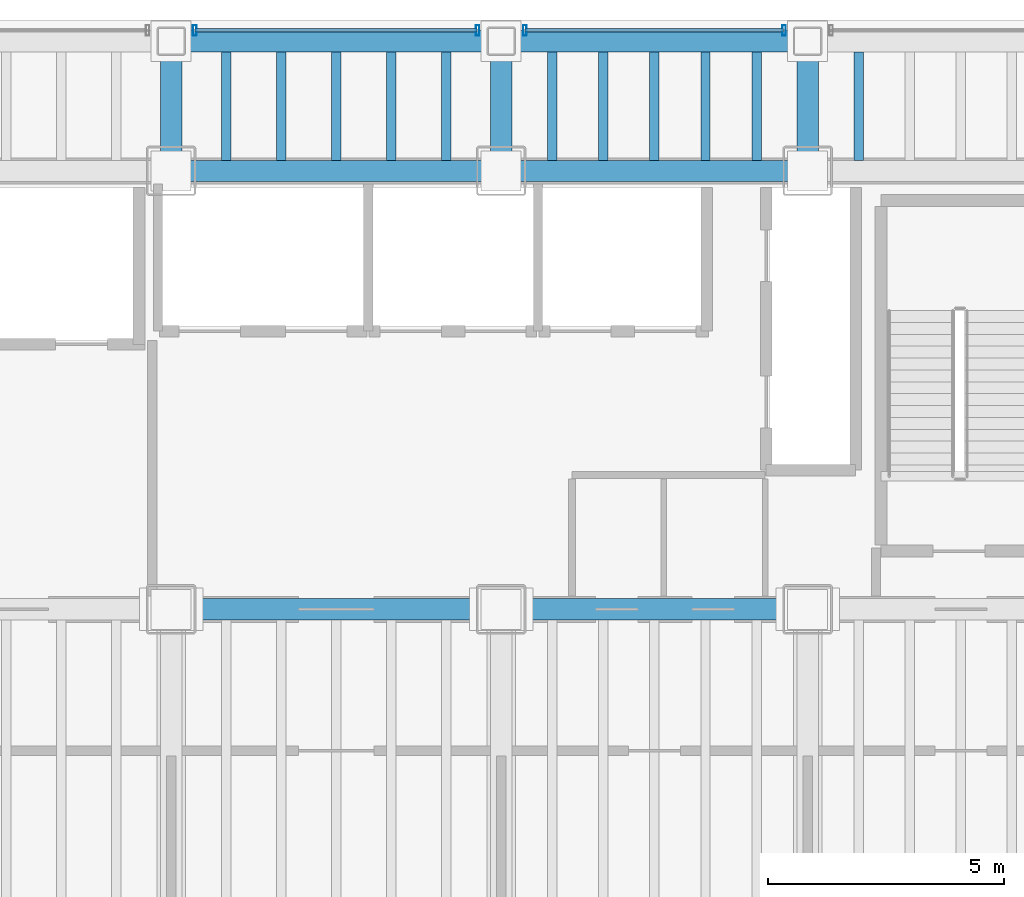
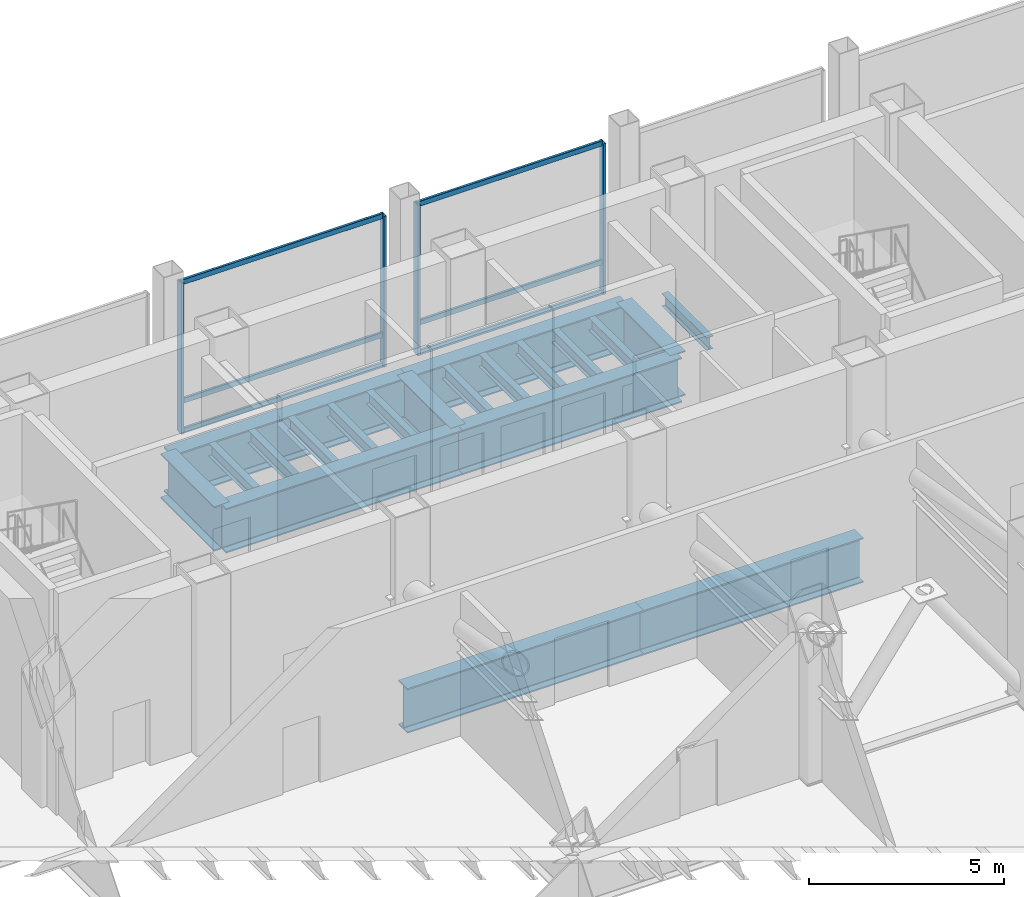
# One storey, part 9 of 20: 20 beams, 10 members, 2 elements without a shape of their own.
"""IFC4 building model written with IfcOpenShell, lengths in metres."""

from ifc_helpers import new_model, si_unit, direction, frame, origin, origin_2d, place, context, subcontext, project, spatial, hollow_rectangle, i_section, extrude, material, material_profile, profile_set, type_object, element, aggregate, save


model = new_model("IFC4")

# Units and contexts
model_context = context("Model", 3, precision=1e-05, world=origin(), true_north=direction((0.0, 1.0)))
body_context = subcontext(model_context, "Body", "Model", "MODEL_VIEW")
ifc_project = project(units=[si_unit("LENGTHUNIT", "METRE"), si_unit("AREAUNIT", "SQUARE_METRE"), si_unit("VOLUMEUNIT", "CUBIC_METRE"), si_unit("PLANEANGLEUNIT", "RADIAN"), si_unit("MASSUNIT", "GRAM", prefix="KILO")], contexts=[model_context])

# Site, building, storey
site_placement = place(None, origin())
site = spatial("IfcSite", under=ifc_project, at=site_placement, CompositionType="ELEMENT")
building_placement = place(site_placement, origin())
building = spatial("IfcBuilding", under=site, at=building_placement, Name="Noeulbin Bourse Tower", CompositionType="ELEMENT")
storey_placement = place(building_placement, frame((0.0, 0.0, 100.60009765625)))
storey = spatial("IfcBuildingStorey", under=building, at=storey_placement, Name="L25", CompositionType="ELEMENT", Elevation=100.60009765625)

# Beams
ifc_material_1 = material(Name="Steel S355", Category="steel")
ifc_material_profile_1 = material_profile(ifc_material_1, i_section(OverallWidth=0.199951171875, OverallDepth=0.39990234375, WebThickness=0.008056640625, FlangeThickness=0.012939453125, FilletRadius=0.01611328125, at=origin_2d()), Name="H-400x200x8x13", Category="LoadBearing")
ifc_profile_set_1 = profile_set([ifc_material_profile_1], Name="Steel S355")
beam_type_1 = type_object("IfcBeamType", Name="BM-SEC-400", PredefinedType="BEAM", material=ifc_profile_set_1)
for number, where, z_axis, x_axis, name in (
    (1, (25.166748046875, 38.52490234375, -0.5), (0.0, 1.0, 0.0), (-1.0, 0.0, 0.0), "Tower Composite Joist L25-27"),
    (2, (26.333251953125, 38.52490234375, -0.5), (0.0, 1.0, 0.0), (-1.0, 0.0, 0.0), "Tower Composite Joist L25-30"),
    (3, (27.5, 38.52490234375, -0.5), (0.0, 1.0, 0.0), (-1.0, 0.0, 0.0), "Tower Composite Joist L25-33"),
    (4, (28.666748046875, 38.52490234375, -0.5), (0.0, 1.0, 0.0), (-1.0, 0.0, 0.0), "Tower Composite Joist L25-36"),
    (5, (29.833251953125, 38.52490234375, -0.5), (0.0, 1.0, 0.0), (-1.0, 0.0, 0.0), "Tower Composite Joist L25-39"),
    (6, (32.083251953125, 38.52490234375, -0.5), (0.0, 1.0, 0.0), (-1.0, 0.0, 0.0), "Tower Composite Joist L25-42"),
    (7, (33.166748046875, 38.52490234375, -0.5), (0.0, 1.0, 0.0), (-1.0, 0.0, 0.0), "Tower Composite Joist L25-45"),
    (8, (34.25, 38.52490234375, -0.5), (0.0, 1.0, 0.0), (-1.0, 0.0, 0.0), "Tower Composite Joist L25-48"),
    (9, (35.333251953125, 38.52490234375, -0.5), (0.0, 1.0, 0.0), (-1.0, 0.0, 0.0), "Tower Composite Joist L25-51"),
    (10, (36.416748046875, 38.52490234375, -0.5), (0.0, 1.0, 0.0), (-1.0, 0.0, 0.0), "Tower Composite Joist L25-54"),
    (11, (38.583251953125, 38.52490234375, -0.5), (0.0, 1.0, 0.0), (-1.0, 0.0, 0.0), "Tower Composite Joist L25-57"),
):
    element("IfcBeam", number, at=place(storey_placement, frame(where, z_axis=z_axis, x_axis=x_axis)), inside=storey, type_object=beam_type_1, Name=name, PredefinedType="BEAM", context=body_context, shape_type="SweptSolid", body=[
        extrude(i_section(OverallWidth=0.199951171875, OverallDepth=0.39990234375, WebThickness=0.008056640625, FlangeThickness=0.012939453125, FilletRadius=0.01611328125, at=origin_2d()), origin(), (0.0, 0.0, 1.0), 2.300048828125),
    ])
ifc_material_2 = material(Name="Steel S460", Category="steel")
ifc_material_profile_2 = material_profile(ifc_material_2, i_section(OverallWidth=0.449951171875, OverallDepth=1.39990234375, WebThickness=0.02392578125, FlangeThickness=0.0400390625, FilletRadius=0.02392578125, at=origin_2d()), Name="PG-1400x450x24x40", Category="LoadBearing")
ifc_profile_set_2 = profile_set([ifc_material_profile_2], Name="Steel S460")
beam_type_2 = type_object("IfcBeamType", Name="BM-TRF-1400", PredefinedType="USERDEFINED", material=ifc_profile_set_2)
beam_1_placement = place(storey_placement, frame((24.0, 29.0, -1.0), z_axis=(1.0, 0.0, 0.0), x_axis=(0.0, 1.0, 0.0)))
element("IfcBeam", 12, at=beam_1_placement, inside=storey, type_object=beam_type_2, Name="Tower Primary Girder EW L25-2.3", ObjectType="GIRDER", PredefinedType="USERDEFINED", context=body_context, shape_type="SweptSolid", body=[
    extrude(i_section(OverallWidth=0.449951171875, OverallDepth=1.39990234375, WebThickness=0.02392578125, FlangeThickness=0.0400390625, FilletRadius=0.02392578125, at=origin_2d()), origin(), (0.0, 0.0, 1.0), 7.0),
])
beam_2_placement = place(storey_placement, frame((31.0, 29.0, -1.0), z_axis=(1.0, 0.0, 0.0), x_axis=(0.0, 1.0, 0.0)))
element("IfcBeam", 13, at=beam_2_placement, inside=storey, type_object=beam_type_2, Name="Tower Primary Girder EW L25-2.4", ObjectType="GIRDER", PredefinedType="USERDEFINED", context=body_context, shape_type="SweptSolid", body=[
    extrude(i_section(OverallWidth=0.449951171875, OverallDepth=1.39990234375, WebThickness=0.02392578125, FlangeThickness=0.0400390625, FilletRadius=0.02392578125, at=origin_2d()), origin(), (0.0, 0.0, 1.0), 6.5),
])
beam_3_placement = place(storey_placement, frame((24.0, 38.300048828125, -1.0), z_axis=(1.0, 0.0, 0.0), x_axis=(0.0, 1.0, 0.0)))
element("IfcBeam", 14, at=beam_3_placement, inside=storey, type_object=beam_type_2, Name="Tower Primary Girder EW L25-3.3", ObjectType="GIRDER", PredefinedType="USERDEFINED", context=body_context, shape_type="SweptSolid", body=[
    extrude(i_section(OverallWidth=0.449951171875, OverallDepth=1.39990234375, WebThickness=0.02392578125, FlangeThickness=0.0400390625, FilletRadius=0.02392578125, at=origin_2d()), origin(), (0.0, 0.0, 1.0), 7.0),
])
beam_4_placement = place(storey_placement, frame((31.0, 38.300048828125, -1.0), z_axis=(1.0, 0.0, 0.0), x_axis=(0.0, 1.0, 0.0)))
element("IfcBeam", 15, at=beam_4_placement, inside=storey, type_object=beam_type_2, Name="Tower Primary Girder EW L25-3.4", ObjectType="GIRDER", PredefinedType="USERDEFINED", context=body_context, shape_type="SweptSolid", body=[
    extrude(i_section(OverallWidth=0.449951171875, OverallDepth=1.39990234375, WebThickness=0.02392578125, FlangeThickness=0.0400390625, FilletRadius=0.02392578125, at=origin_2d()), origin(), (0.0, 0.0, 1.0), 6.5),
])
for number, where, z_axis, x_axis, name in (
    (16, (24.0, 38.300048828125, -1.0), (0.0, 1.0, 0.0), (-1.0, 0.0, 0.0), "Tower Primary Girder NS L25-2.4"),
    (17, (31.0, 38.300048828125, -1.0), (0.0, 1.0, 0.0), (-1.0, 0.0, 0.0), "Tower Primary Girder NS L25-3.4"),
    (18, (37.5, 38.300048828125, -1.0), (0.0, 1.0, 0.0), (-1.0, 0.0, 0.0), "Tower Primary Girder NS L25-4.4"),
):
    element("IfcBeam", number, at=place(storey_placement, frame(where, z_axis=z_axis, x_axis=x_axis)), inside=storey, type_object=beam_type_2, Name=name, ObjectType="GIRDER", PredefinedType="USERDEFINED", context=body_context, shape_type="SweptSolid", body=[
        extrude(i_section(OverallWidth=0.449951171875, OverallDepth=1.39990234375, WebThickness=0.02392578125, FlangeThickness=0.0400390625, FilletRadius=0.02392578125, at=origin_2d()), origin(), (0.0, 0.0, 1.0), 2.75),
    ])
beam_5_placement = place(storey_placement, frame((24.0, 41.050048828125, -1.0), z_axis=(1.0, 0.0, 0.0), x_axis=(0.0, 1.0, 0.0)))
element("IfcBeam", 19, at=beam_5_placement, inside=storey, type_object=beam_type_2, Name="North Spandrel L25-2", ObjectType="GIRDER", PredefinedType="USERDEFINED", context=body_context, shape_type="SweptSolid", body=[
    extrude(i_section(OverallWidth=0.449951171875, OverallDepth=1.39990234375, WebThickness=0.02392578125, FlangeThickness=0.0400390625, FilletRadius=0.02392578125, at=origin_2d()), origin(), (0.0, 0.0, 1.0), 7.0),
])
beam_6_placement = place(storey_placement, frame((31.0, 41.050048828125, -1.0), z_axis=(1.0, 0.0, 0.0), x_axis=(0.0, 1.0, 0.0)))
element("IfcBeam", 20, at=beam_6_placement, inside=storey, type_object=beam_type_2, Name="North Spandrel L25-3", ObjectType="GIRDER", PredefinedType="USERDEFINED", context=body_context, shape_type="SweptSolid", body=[
    extrude(i_section(OverallWidth=0.449951171875, OverallDepth=1.39990234375, WebThickness=0.02392578125, FlangeThickness=0.0400390625, FilletRadius=0.02392578125, at=origin_2d()), origin(), (0.0, 0.0, 1.0), 6.5),
])

# Curtain wall, members
ifc_material_3 = material(Name="Translucent Ceramic-Fritted Glass", Category="glass")
curtain_wall_type = type_object("IfcCurtainWallType", Name="CW-SYS-5", PredefinedType="NOTDEFINED", material=ifc_material_3)
curtain_wall_1_placement = place(storey_placement, origin())
curtain_wall_1 = element("IfcCurtainWall", 21, at=curtain_wall_1_placement, inside=storey, type_object=curtain_wall_type, Name="Unitised Curtain Wall CW-L25-N-S3", PredefinedType="NOTDEFINED")
ifc_material_4 = material(Name="Anodised Aluminium 6063-T6", Category="aluminium")
ifc_material_profile_3 = material_profile(ifc_material_4, hollow_rectangle(XDim=0.074951171875, YDim=0.219970703125, WallThickness=0.0048828125, InnerFilletRadius=0.00244140625, OuterFilletRadius=0.0048828125, at=origin_2d()), Name="ALU-MULL-75x220x5", Category="LoadBearing")
ifc_profile_set_3 = profile_set([ifc_material_profile_3], Name="Anodised Aluminium 6063-T6")
member_type_1 = type_object("IfcMemberType", Name="CW-SYS-5-MUL", PredefinedType="MULLION", material=ifc_profile_set_3)
member_1_placement = place(storey_placement, frame((24.5, 41.280029296875, -0.02001953125), z_axis=(0.0, 0.0, 1.0), x_axis=(1.0, 0.0, 0.0)))
member_1 = element("IfcMember", 22, at=member_1_placement, type_object=member_type_1, Name="Curtain Wall Mullion CW-L25-N-S3-M00", PredefinedType="MULLION", context=body_context, shape_type="SweptSolid", body=[
    extrude(hollow_rectangle(XDim=0.074951171875, YDim=0.219970703125, WallThickness=0.0048828125, InnerFilletRadius=0.00244140625, OuterFilletRadius=0.0048828125, at=origin_2d()), origin(), (0.0, 0.0, 1.0), 4.719970703125),
])
member_2_placement = place(storey_placement, frame((30.5, 41.280029296875, -0.02001953125), z_axis=(0.0, 0.0, 1.0), x_axis=(1.0, 0.0, 0.0)))
member_2 = element("IfcMember", 23, at=member_2_placement, type_object=member_type_1, Name="Curtain Wall Mullion CW-L25-N-S3-M01", PredefinedType="MULLION", context=body_context, shape_type="SweptSolid", body=[
    extrude(hollow_rectangle(XDim=0.074951171875, YDim=0.219970703125, WallThickness=0.0048828125, InnerFilletRadius=0.00244140625, OuterFilletRadius=0.0048828125, at=origin_2d()), origin(), (0.0, 0.0, 1.0), 4.719970703125),
])

curtain_wall_2_placement = place(storey_placement, origin())
curtain_wall_2 = element("IfcCurtainWall", 24, at=curtain_wall_2_placement, inside=storey, type_object=curtain_wall_type, Name="Unitised Curtain Wall CW-L25-N-S4", PredefinedType="NOTDEFINED")
member_3_placement = place(storey_placement, frame((31.5, 41.280029296875, -0.02001953125), z_axis=(0.0, 0.0, 1.0), x_axis=(1.0, 0.0, 0.0)))
member_3 = element("IfcMember", 25, at=member_3_placement, type_object=member_type_1, Name="Curtain Wall Mullion CW-L25-N-S4-M00", PredefinedType="MULLION", context=body_context, shape_type="SweptSolid", body=[
    extrude(hollow_rectangle(XDim=0.074951171875, YDim=0.219970703125, WallThickness=0.0048828125, InnerFilletRadius=0.00244140625, OuterFilletRadius=0.0048828125, at=origin_2d()), origin(), (0.0, 0.0, 1.0), 4.719970703125),
])
member_4_placement = place(storey_placement, frame((37.0, 41.280029296875, -0.02001953125), z_axis=(0.0, 0.0, 1.0), x_axis=(1.0, 0.0, 0.0)))
member_4 = element("IfcMember", 26, at=member_4_placement, type_object=member_type_1, Name="Curtain Wall Mullion CW-L25-N-S4-M01", PredefinedType="MULLION", context=body_context, shape_type="SweptSolid", body=[
    extrude(hollow_rectangle(XDim=0.074951171875, YDim=0.219970703125, WallThickness=0.0048828125, InnerFilletRadius=0.00244140625, OuterFilletRadius=0.0048828125, at=origin_2d()), origin(), (0.0, 0.0, 1.0), 4.719970703125),
])

# Member
ifc_material_profile_4 = material_profile(ifc_material_4, hollow_rectangle(XDim=0.074951171875, YDim=0.159912109375, WallThickness=0.0048828125, InnerFilletRadius=0.00244140625, OuterFilletRadius=0.0048828125, at=origin_2d()), Name="ALU-TRAN-75x160x5", Category="LoadBearing")
ifc_profile_set_4 = profile_set([ifc_material_profile_4], Name="Anodised Aluminium 6063-T6")
member_type_2 = type_object("IfcMemberType", Name="CW-SYS-5-TRN", PredefinedType="USERDEFINED", material=ifc_profile_set_4)
member_5_placement = place(storey_placement, frame((24.510009765625, 41.280029296875, 0.010009765625), z_axis=(1.0, 0.0, 0.0), x_axis=(0.0, 1.0, 0.0)))
member_5 = element("IfcMember", 27, at=member_5_placement, type_object=member_type_2, Name="Curtain Wall Transom CW-L25-N-S3-T00", ObjectType="TRANSOM", PredefinedType="USERDEFINED", context=body_context, shape_type="SweptSolid", body=[
    extrude(hollow_rectangle(XDim=0.074951171875, YDim=0.159912109375, WallThickness=0.0048828125, InnerFilletRadius=0.00244140625, OuterFilletRadius=0.0048828125, at=origin_2d()), origin(), (0.0, 0.0, 1.0), 5.97998046875),
])

member_6_placement = place(storey_placement, frame((24.510009765625, 41.280029296875, 0.949951171875), z_axis=(1.0, 0.0, 0.0), x_axis=(0.0, 1.0, 0.0)))
member_6 = element("IfcMember", 28, at=member_6_placement, type_object=member_type_2, Name="Curtain Wall Transom CW-L25-N-S3-T01", ObjectType="TRANSOM", PredefinedType="USERDEFINED", context=body_context, shape_type="SweptSolid", body=[
    extrude(hollow_rectangle(XDim=0.074951171875, YDim=0.159912109375, WallThickness=0.0048828125, InnerFilletRadius=0.00244140625, OuterFilletRadius=0.0048828125, at=origin_2d()), origin(), (0.0, 0.0, 1.0), 5.97998046875),
])

member_7_placement = place(storey_placement, frame((24.510009765625, 41.280029296875, 4.669921875), z_axis=(1.0, 0.0, 0.0), x_axis=(0.0, 1.0, 0.0)))
member_7 = element("IfcMember", 29, at=member_7_placement, type_object=member_type_2, Name="Curtain Wall Transom CW-L25-N-S3-T02", ObjectType="TRANSOM", PredefinedType="USERDEFINED", context=body_context, shape_type="SweptSolid", body=[
    extrude(hollow_rectangle(XDim=0.074951171875, YDim=0.159912109375, WallThickness=0.0048828125, InnerFilletRadius=0.00244140625, OuterFilletRadius=0.0048828125, at=origin_2d()), origin(), (0.0, 0.0, 1.0), 5.97998046875),
])

aggregate(curtain_wall_1, [member_1, member_2, member_5, member_6, member_7])

member_8_placement = place(storey_placement, frame((31.510009765625, 41.280029296875, 0.010009765625), z_axis=(1.0, 0.0, 0.0), x_axis=(0.0, 1.0, 0.0)))
member_8 = element("IfcMember", 30, at=member_8_placement, type_object=member_type_2, Name="Curtain Wall Transom CW-L25-N-S4-T00", ObjectType="TRANSOM", PredefinedType="USERDEFINED", context=body_context, shape_type="SweptSolid", body=[
    extrude(hollow_rectangle(XDim=0.074951171875, YDim=0.159912109375, WallThickness=0.0048828125, InnerFilletRadius=0.00244140625, OuterFilletRadius=0.0048828125, at=origin_2d()), origin(), (0.0, 0.0, 1.0), 5.47998046875),
])

member_9_placement = place(storey_placement, frame((31.510009765625, 41.280029296875, 0.949951171875), z_axis=(1.0, 0.0, 0.0), x_axis=(0.0, 1.0, 0.0)))
member_9 = element("IfcMember", 31, at=member_9_placement, type_object=member_type_2, Name="Curtain Wall Transom CW-L25-N-S4-T01", ObjectType="TRANSOM", PredefinedType="USERDEFINED", context=body_context, shape_type="SweptSolid", body=[
    extrude(hollow_rectangle(XDim=0.074951171875, YDim=0.159912109375, WallThickness=0.0048828125, InnerFilletRadius=0.00244140625, OuterFilletRadius=0.0048828125, at=origin_2d()), origin(), (0.0, 0.0, 1.0), 5.47998046875),
])

member_10_placement = place(storey_placement, frame((31.510009765625, 41.280029296875, 4.669921875), z_axis=(1.0, 0.0, 0.0), x_axis=(0.0, 1.0, 0.0)))
member_10 = element("IfcMember", 32, at=member_10_placement, type_object=member_type_2, Name="Curtain Wall Transom CW-L25-N-S4-T02", ObjectType="TRANSOM", PredefinedType="USERDEFINED", context=body_context, shape_type="SweptSolid", body=[
    extrude(hollow_rectangle(XDim=0.074951171875, YDim=0.159912109375, WallThickness=0.0048828125, InnerFilletRadius=0.00244140625, OuterFilletRadius=0.0048828125, at=origin_2d()), origin(), (0.0, 0.0, 1.0), 5.47998046875),
])

aggregate(curtain_wall_2, [member_3, member_4, member_8, member_9, member_10])

save(model, "model.ifc")
